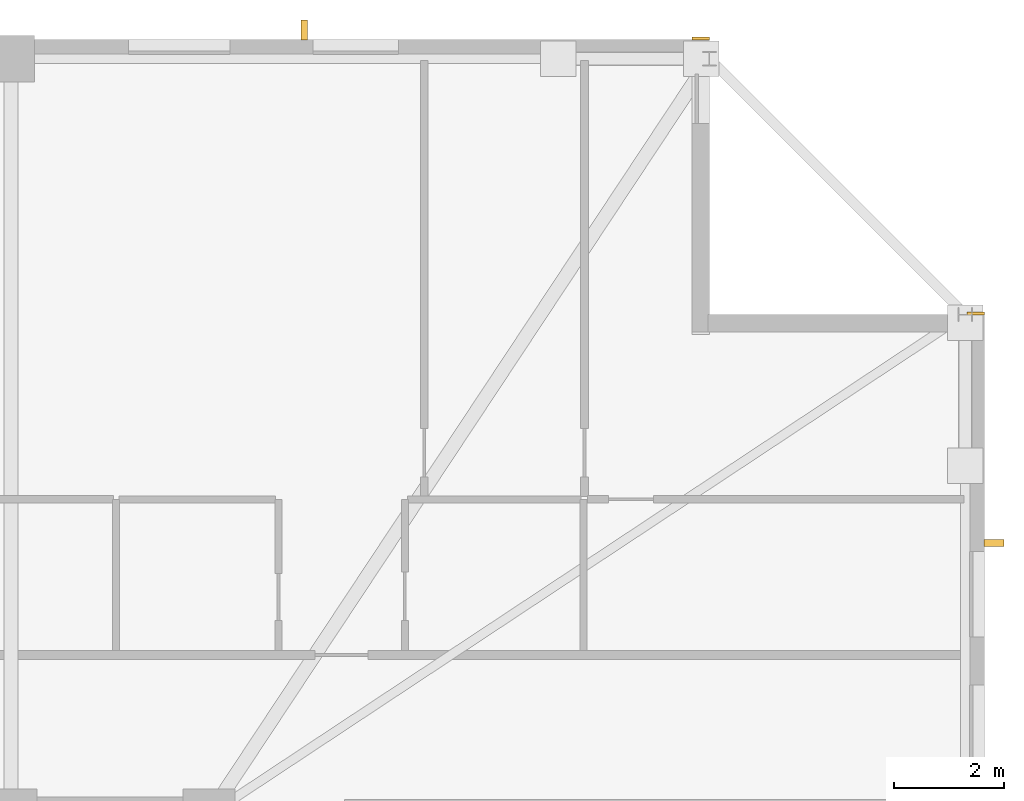
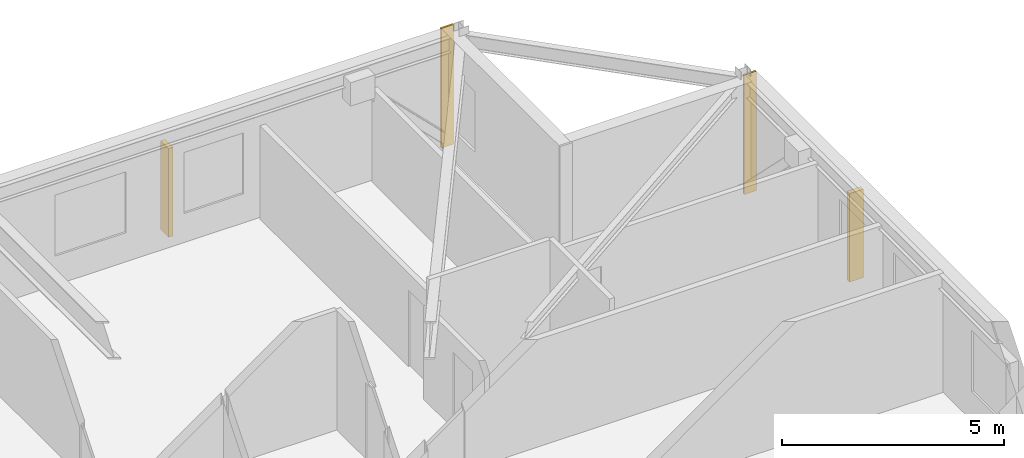
# One storey, part 17 of 17: 2 coverings, 2 shading devices.
"""IFC4 building model written with IfcOpenShell, lengths in metres."""

from ifc_helpers import new_model, si_unit, direction, frame, frame_2d, origin, origin_2d, place, context, subcontext, project, spatial, rectangle, extrude, material, layer, layer_set, type_object, element, save


model = new_model("IFC4")

# Units and contexts
model_context = context("Model", 3, precision=1e-05, world=origin(), true_north=direction((0.0, 1.0)))
body_context = subcontext(model_context, "Body", "Model", "MODEL_VIEW")
ifc_project = project(units=[si_unit("LENGTHUNIT", "METRE"), si_unit("AREAUNIT", "SQUARE_METRE"), si_unit("VOLUMEUNIT", "CUBIC_METRE"), si_unit("PLANEANGLEUNIT", "RADIAN"), si_unit("MASSUNIT", "GRAM", prefix="KILO")], contexts=[model_context])

# Site, building, storey
site_placement = place(None, origin())
site = spatial("IfcSite", under=ifc_project, at=site_placement, CompositionType="ELEMENT")
building_placement = place(site_placement, origin())
building = spatial("IfcBuilding", under=site, at=building_placement, Name="Cairnveth Concourse Tower", CompositionType="ELEMENT")
storey_placement = place(building_placement, frame((0.0, 0.0, 220.0)))
storey = spatial("IfcBuildingStorey", under=building, at=storey_placement, Name="L60", CompositionType="ELEMENT", Elevation=220.0)

# Coverings
ifc_material_1 = material(Name="Dressed Melbourne Bluestone Cladding", Category="masonry")
ifc_layer = layer(ifc_material_1, 0.050048828125)
ifc_layer_set = layer_set([ifc_layer], Name="Dressed Melbourne Bluestone Cladding")
covering_type = type_object("IfcCoveringType", Name="DRESSED BLUESTONE PLINTH CLADDING 50", PredefinedType="CLADDING", material=ifc_layer_set)
for number, where, z_axis, x_axis, name in (
    (1, (69.179931640625, 61.52001953125, 0.0), (0.0, 0.0, 1.0), (1.0, 0.0, 0.0), "Melbourne Bluestone Corner Quoin L60-896"),
    (2, (74.179931640625, 56.52001953125, 0.0), (0.0, 0.0, 1.0), (1.0, 0.0, 0.0), "Melbourne Bluestone Corner Quoin L60-898"),
):
    element("IfcCovering", number, at=place(storey_placement, frame(where, z_axis=z_axis, x_axis=x_axis)), inside=storey, type_object=covering_type, Name=name, PredefinedType="CLADDING", context=body_context, shape_type="SweptSolid", body=[
        extrude(rectangle(XDim=0.320068359375, YDim=0.050048828125, at=frame_2d((0.16015625, 0.0))), origin(), (0.0, 0.0, 1.0), 3.2900390625),
    ])

# Shading devices
ifc_material_2 = material(Name="Architectural Bronze Anodised Aluminium 6063-T6", Category="aluminium")
shading_device_type = type_object("IfcShadingDeviceType", Name="GOTHIC BRONZE VERTICAL LANCET FIN", PredefinedType="USERDEFINED", material=ifc_material_2)
for number, where, z_axis, x_axis, name in (
    (3, (62.13671875, 61.675048828125, 0.030029296875), (0.0, 0.0, 1.0), (1.0, 0.0, 0.0), "Gothic Bronze Vertical Fin L60-0-5"),
    (4, (74.675048828125, 52.347412109375, 0.030029296875), (0.0, 0.0, 1.0), (0.0, 1.0, 0.0), "Gothic Bronze Vertical Fin L60-3-1"),
):
    element("IfcShadingDevice", number, at=place(storey_placement, frame(where, z_axis=z_axis, x_axis=x_axis)), inside=storey, type_object=shading_device_type, Name=name, ObjectType="VERTICAL FIN", PredefinedType="USERDEFINED", context=body_context, shape_type="SweptSolid", body=[
        extrude(rectangle(XDim=0.1201171875, YDim=0.360107421875, at=origin_2d()), origin(), (0.0, 0.0, 1.0), 2.43798828125),
    ])

save(model, "model.ifc")
